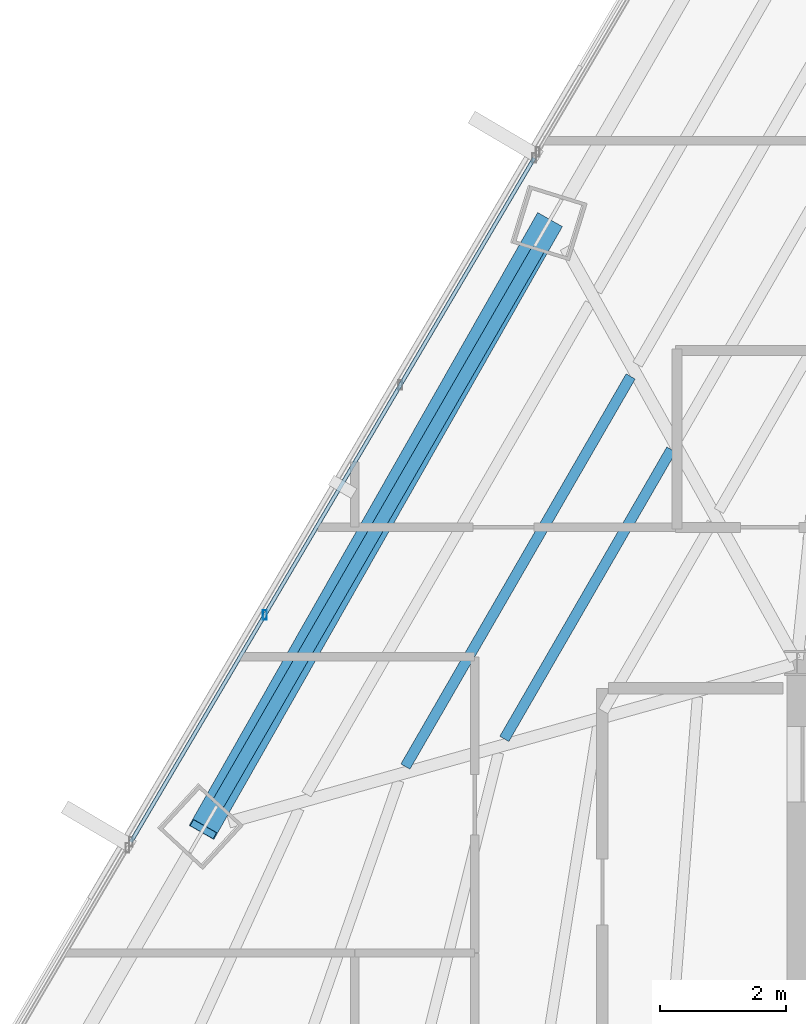
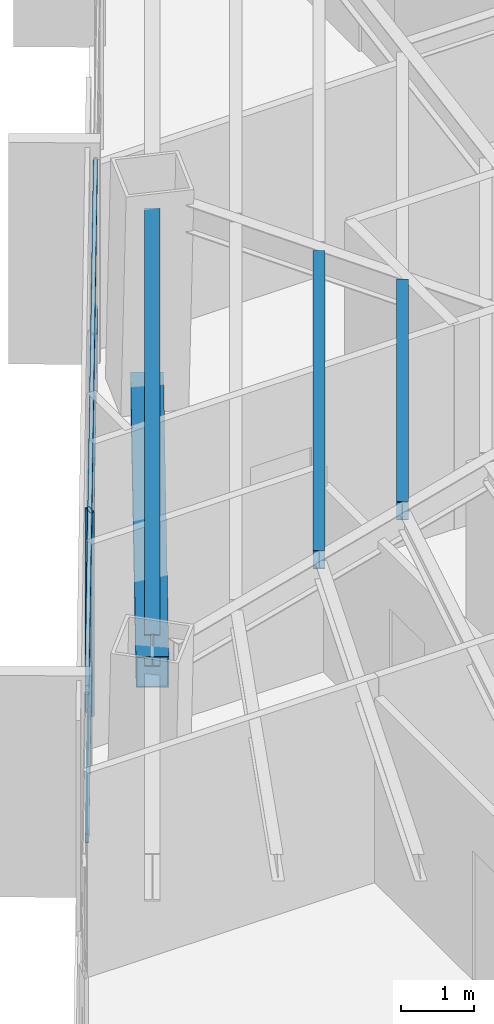
# One storey, part 14 of 41: 4 members, 3 beams, 1 element without a shape of its own.
"""IFC4 building model written with IfcOpenShell, lengths in metres."""

from ifc_helpers import new_model, si_unit, direction, frame, origin, origin_2d, place, context, subcontext, project, spatial, hollow_rectangle, i_section, extrude, source, transform, mapped, material, material_profile, profile_set, type_object, type_shapes, element, aggregate, save


model = new_model("IFC4")

# Units and contexts
model_context = context("Model", 3, precision=1e-05, world=origin(), true_north=direction((0.0, 1.0)))
body_context = subcontext(model_context, "Body", "Model", "MODEL_VIEW")
ifc_project = project(units=[si_unit("LENGTHUNIT", "METRE"), si_unit("AREAUNIT", "SQUARE_METRE"), si_unit("VOLUMEUNIT", "CUBIC_METRE"), si_unit("PLANEANGLEUNIT", "RADIAN"), si_unit("MASSUNIT", "GRAM", prefix="KILO")], contexts=[model_context])

# Site, building, storey
site_placement = place(None, origin())
site = spatial("IfcSite", under=ifc_project, at=site_placement, CompositionType="ELEMENT")
building_placement = place(site_placement, origin())
building = spatial("IfcBuilding", under=site, at=building_placement, Name="Caelisora Broadcast Tower", CompositionType="ELEMENT")
storey_placement = place(building_placement, frame((0.0, 0.0, 169.449951171875)))
storey = spatial("IfcBuildingStorey", under=building, at=storey_placement, Name="L44", CompositionType="ELEMENT", Elevation=169.449951171875)

# Beams
ifc_material_1 = material(Name="Steel Grade 350 (AS/NZS 3679.1)", Category="steel")
ifc_material_profile_1 = material_profile(ifc_material_1, i_section(OverallWidth=0.208984375, OverallDepth=0.532958984375, WebThickness=0.01025390625, FlangeThickness=0.015625, at=origin_2d()), Name="Steel Grade 350 (AS/NZS 3679.1)")
ifc_profile_set_1 = profile_set([ifc_material_profile_1], Name="Steel Grade 350 (AS/NZS 3679.1)")
beam_type_1 = type_object("IfcBeamType", Name="PG05", PredefinedType="BEAM", material=ifc_profile_set_1)
shared_shape_1 = source(origin(), body_context, "Body", "SweptSolid", [
    extrude(i_section(OverallWidth=0.208984375, OverallDepth=0.532958984375, WebThickness=0.01025390625, FlangeThickness=0.015625, at=origin_2d()), origin(), (0.0, 0.0, 1.0), 10.141357421875),
])
type_shapes(beam_type_1, [shared_shape_1])
beam_1_placement = place(storey_placement, frame((26.403564453125, 36.55029296875, 3.133544921875), z_axis=(-0.500007247611, -0.866021219334, 0.0), x_axis=(0.866021219334, -0.500007247611, 0.0)))
element("IfcBeam", 1, at=beam_1_placement, inside=storey, type_object=beam_type_1, Name="L44 beam PG05", PredefinedType="BEAM", context=body_context, shape_type="MappedRepresentation", body=[
    mapped(shared_shape_1, transform((0.0, 0.0, 0.0), scale=1.0)),
])
ifc_material_profile_2 = material_profile(ifc_material_1, i_section(OverallWidth=0.166015625, OverallDepth=0.30712890625, WebThickness=0.006591796875, FlangeThickness=0.01171875, at=origin_2d()), Name="Steel Grade 350 (AS/NZS 3679.1)")
ifc_profile_set_2 = profile_set([ifc_material_profile_2], Name="Steel Grade 350 (AS/NZS 3679.1)")
beam_type_2 = type_object("IfcBeamType", Name="SB03", PredefinedType="JOIST", material=ifc_profile_set_2)
shared_shape_2 = source(origin(), body_context, "Body", "SweptSolid", [
    extrude(i_section(OverallWidth=0.166015625, OverallDepth=0.30712890625, WebThickness=0.006591796875, FlangeThickness=0.01171875, at=origin_2d()), origin(), (0.0, 0.0, 1.0), 5.2890625),
])
beam_2_placement = place(storey_placement, frame((28.5126953125, 33.380615234375, 3.246337890625), z_axis=(-0.500011480085, -0.866018775653, 0.0), x_axis=(0.866018775653, -0.500011480085, 0.0)))
element("IfcBeam", 2, at=beam_2_placement, inside=storey, type_object=beam_type_2, Name="L44 beam SB03", PredefinedType="JOIST", context=body_context, shape_type="MappedRepresentation", body=[
    mapped(shared_shape_2, transform((0.0, 0.0, 0.0), scale=1.0)),
])
shared_shape_3 = source(origin(), body_context, "Body", "SweptSolid", [
    extrude(i_section(OverallWidth=0.166015625, OverallDepth=0.30712890625, WebThickness=0.006591796875, FlangeThickness=0.01171875, at=origin_2d()), origin(), (0.0, 0.0, 1.0), 7.132568359375),
])
type_shapes(beam_type_2, [shared_shape_2, shared_shape_3])
beam_3_placement = place(storey_placement, frame((27.8681640625, 34.538818359375, 3.246337890625), z_axis=(-0.499986158648, -0.866033394945, 0.0), x_axis=(0.866033394945, -0.499986158648, 0.0)))
element("IfcBeam", 3, at=beam_3_placement, inside=storey, type_object=beam_type_2, Name="L44 beam SB03", PredefinedType="JOIST", context=body_context, shape_type="MappedRepresentation", body=[
    mapped(shared_shape_3, transform((0.0, 0.0, 0.0), scale=1.0)),
])

# Member
ifc_material_2 = material(Name="Steel Grade 450 (AS/NZS 1163 C450L0)", Category="steel")
ifc_material_profile_3 = material_profile(ifc_material_2, hollow_rectangle(XDim=0.449951171875, YDim=0.449951171875, WallThickness=0.01611328125, at=origin_2d()), Name="Steel Grade 450 (AS/NZS 1163 C450L0)")
ifc_profile_set_3 = profile_set([ifc_material_profile_3], Name="Steel Grade 450 (AS/NZS 1163 C450L0)")
member_type_1 = type_object("IfcMemberType", Name="BR03", PredefinedType="BRACE", material=ifc_profile_set_3)
shared_shape_4 = source(origin(), body_context, "Body", "SweptSolid", [
    extrude(hollow_rectangle(XDim=0.449951171875, YDim=0.449951171875, WallThickness=0.01611328125, at=origin_2d()), origin(), (0.0, 0.0, 1.0), 11.4453125),
])
type_shapes(member_type_1, [shared_shape_4])
member_1_placement = place(storey_placement, frame((26.562744140625, 36.970703125, 0.10009765625), z_axis=(-0.477045397255, -0.838882325963, 0.262114730883), x_axis=(0.869275033759, -0.494328752638, 0.0)))
element("IfcMember", 4, at=member_1_placement, inside=storey, type_object=member_type_1, Name="L44 perimeter brace BR03", PredefinedType="BRACE", context=body_context, shape_type="MappedRepresentation", body=[
    mapped(shared_shape_4, transform((0.0, 0.0, 0.0), scale=1.0)),
])

# Curtain wall, members
ifc_material_3 = material(Name="Unitised Aluminium Insulated Shadow-Box Spandrel Curtain Wall", Category="aluminium")
curtain_wall_type = type_object("IfcCurtainWallType", Name="CW-SP2", PredefinedType="NOTDEFINED", material=ifc_material_3)
curtain_wall_placement = place(storey_placement, origin())
curtain_wall = element("IfcCurtainWall", 5, at=curtain_wall_placement, inside=storey, type_object=curtain_wall_type, Name="L44 curtain wall CW-SP2", PredefinedType="NOTDEFINED")
ifc_material_4 = material(Name="Aluminium 6063-T6 Anodised Terracotta Bronze", Category="aluminium")
ifc_material_profile_4 = material_profile(ifc_material_4, hollow_rectangle(XDim=0.06005859375, YDim=0.14990234375, WallThickness=0.00341796875, at=origin_2d()), Name="Aluminium 6063-T6 Anodised Terracotta Bronze")
ifc_profile_set_4 = profile_set([ifc_material_profile_4], Name="Aluminium 6063-T6 Anodised Terracotta Bronze")
member_type_2 = type_object("IfcMemberType", Name="CWM-03", PredefinedType="MULLION", material=ifc_profile_set_4)
shared_shape_5 = source(origin(), body_context, "Body", "SweptSolid", [
    extrude(hollow_rectangle(XDim=0.06005859375, YDim=0.14990234375, WallThickness=0.00341796875, at=origin_2d()), origin(), (0.0, 0.0, 1.0), 3.400146484375),
])
type_shapes(member_type_2, [shared_shape_5])
member_2_placement = place(storey_placement, frame((22.07666015625, 30.763671875, 0.0), z_axis=(0.0, 0.0, 1.0), x_axis=(1.0, 0.0, 0.0)))
member_2 = element("IfcMember", 6, at=member_2_placement, type_object=member_type_2, Name="L44-CW-B10 mullion #1", PredefinedType="MULLION", context=body_context, shape_type="MappedRepresentation", body=[
    mapped(shared_shape_5, transform((0.0, 0.0, 0.0), scale=1.0)),
])
ifc_material_profile_5 = material_profile(ifc_material_4, hollow_rectangle(XDim=0.06005859375, YDim=0.14990234375, WallThickness=0.00341796875, at=origin_2d()), Name="Aluminium 6063-T6 Anodised Terracotta Bronze")
ifc_profile_set_5 = profile_set([ifc_material_profile_5], Name="Aluminium 6063-T6 Anodised Terracotta Bronze")
member_type_3 = type_object("IfcMemberType", Name="CWT-02", PredefinedType="USERDEFINED", material=ifc_profile_set_5)
shared_shape_6 = source(origin(), body_context, "Body", "SweptSolid", [
    extrude(hollow_rectangle(XDim=0.06005859375, YDim=0.14990234375, WallThickness=0.00341796875, at=origin_2d()), origin(), (0.0, 0.0, 1.0), 12.568359375),
])
type_shapes(member_type_3, [shared_shape_6])
member_3_placement = place(storey_placement, frame((19.956787109375, 27.16943359375, 0.85009765625), z_axis=(0.508007932029, 0.861352390718, 0.0), x_axis=(-0.861352390718, 0.508007932029, 0.0)))
member_3 = element("IfcMember", 7, at=member_3_placement, type_object=member_type_3, Name="L44-CW-B10 transom #1", ObjectType="TRANSOM", PredefinedType="USERDEFINED", context=body_context, shape_type="MappedRepresentation", body=[
    mapped(shared_shape_6, transform((0.0, 0.0, 0.0), scale=1.0)),
])
member_4_placement = place(storey_placement, frame((19.956787109375, 27.16943359375, 3.320068359375), z_axis=(0.508007932029, 0.861352390718, 0.0), x_axis=(-0.861352390718, 0.508007932029, 0.0)))
member_4 = element("IfcMember", 8, at=member_4_placement, type_object=member_type_3, Name="L44-CW-B10 transom #2", ObjectType="TRANSOM", PredefinedType="USERDEFINED", context=body_context, shape_type="MappedRepresentation", body=[
    mapped(shared_shape_6, transform((0.0, 0.0, 0.0), scale=1.0)),
])
aggregate(curtain_wall, [member_2, member_3, member_4])

save(model, "model.ifc")
